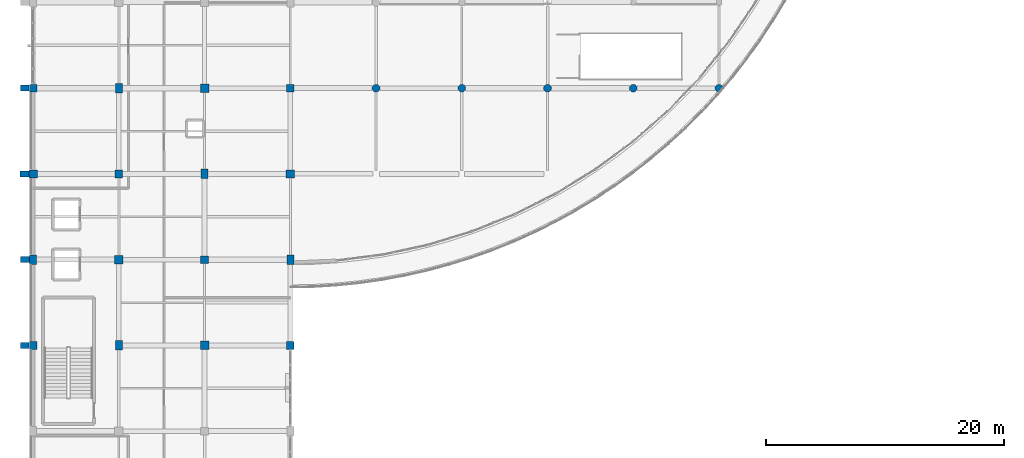
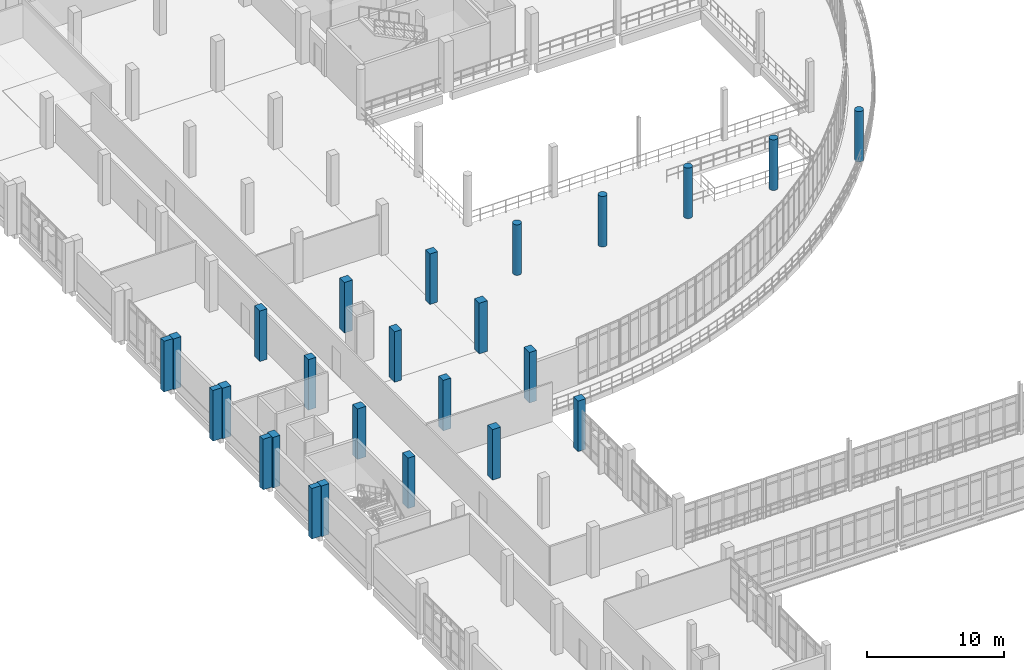
# One storey, part 3 of 116: 25 columns.
"""IFC4 building model written with IfcOpenShell, lengths in metres."""

from ifc_helpers import new_model, si_unit, direction, frame, origin, origin_2d, place, context, subcontext, project, spatial, rectangle, circle, extrude, material, material_profile, profile_set, type_object, element, save


model = new_model("IFC4")

# Units and contexts
model_context = context("Model", 3, precision=1e-05, world=origin(), true_north=direction((0.0, 1.0)))
body_context = subcontext(model_context, "Body", "Model", "MODEL_VIEW")
ifc_project = project(units=[si_unit("LENGTHUNIT", "METRE"), si_unit("AREAUNIT", "SQUARE_METRE"), si_unit("VOLUMEUNIT", "CUBIC_METRE"), si_unit("PLANEANGLEUNIT", "RADIAN"), si_unit("MASSUNIT", "GRAM", prefix="KILO")], contexts=[model_context])

# Site, building, storey
site_placement = place(None, origin())
site = spatial("IfcSite", under=ifc_project, at=site_placement, CompositionType="ELEMENT")
building_placement = place(site_placement, origin())
building = spatial("IfcBuilding", under=site, at=building_placement, Name="Kalluvel Institute of Natural Sciences", CompositionType="ELEMENT")
storey_placement = place(building_placement, frame((0.0, 0.0, 14.39990234375)))
storey = spatial("IfcBuildingStorey", under=building, at=storey_placement, Name="L03", CompositionType="ELEMENT", Elevation=14.39990234375)

# Columns
ifc_material_1 = material(Name="Concrete M50", Category="concrete")
ifc_material_profile_1 = material_profile(ifc_material_1, rectangle(XDim=0.60009765625, YDim=0.800048828125, at=origin_2d()), Name="RC 600x800")
ifc_profile_set_1 = profile_set([ifc_material_profile_1], Name="Concrete M50")
column_type_1 = type_object("IfcColumnType", Name="COL-RC600x800", PredefinedType="COLUMN", material=ifc_profile_set_1)
for number, where, z_axis, x_axis, name in (
    (1, (14.0, 57.199951171875, 0.0), (0.0, 0.0, 1.0), (1.0, 0.0, 0.0), "L03 structural column COL-L03-X140-Y572"),
    (2, (21.199951171875, 50.0, 0.0), (0.0, 0.0, 1.0), (1.0, 0.0, 0.0), "L03 structural column COL-L03-X212-Y500"),
    (3, (21.199951171875, 71.60009765625, 0.0), (0.0, 0.0, 1.0), (1.0, 0.0, 0.0), "L03 structural column COL-L03-X212-Y716"),
    (4, (28.39990234375, 64.39990234375, 0.0), (0.0, 0.0, 1.0), (1.0, 0.0, 0.0), "L03 structural column COL-L03-X284-Y644"),
    (5, (35.60009765625, 57.199951171875, 0.0), (0.0, 0.0, 1.0), (1.0, 0.0, 0.0), "L03 structural column COL-L03-X356-Y572"),
):
    element("IfcColumn", number, at=place(storey_placement, frame(where, z_axis=z_axis, x_axis=x_axis)), inside=storey, type_object=column_type_1, Name=name, PredefinedType="COLUMN", context=body_context, shape_type="SweptSolid", body=[
        extrude(rectangle(XDim=0.60009765625, YDim=0.800048828125, at=origin_2d()), origin(), (0.0, 0.0, 1.0), 4.5),
    ])
ifc_material_2 = material(Name="Concrete M40", Category="concrete")
ifc_material_profile_2 = material_profile(ifc_material_2, rectangle(XDim=0.64990234375, YDim=0.64990234375, at=origin_2d()), Name="RC 650x650")
ifc_profile_set_2 = profile_set([ifc_material_profile_2], Name="Concrete M40")
column_type_2 = type_object("IfcColumnType", Name="COL-RC650", PredefinedType="COLUMN", material=ifc_profile_set_2)
for number, where, z_axis, x_axis, name in (
    (6, (14.0, 50.0, 0.0), (0.0, 0.0, 1.0), (1.0, 0.0, 0.0), "L03 structural column COL-L03-X140-Y500"),
    (7, (14.0, 71.60009765625, 0.0), (0.0, 0.0, 1.0), (1.0, 0.0, 0.0), "L03 structural column COL-L03-X140-Y716"),
    (8, (21.199951171875, 64.39990234375, 0.0), (0.0, 0.0, 1.0), (1.0, 0.0, 0.0), "L03 structural column COL-L03-X212-Y644"),
    (9, (28.39990234375, 57.199951171875, 0.0), (0.0, 0.0, 1.0), (1.0, 0.0, 0.0), "L03 structural column COL-L03-X284-Y572"),
    (10, (35.60009765625, 50.0, 0.0), (0.0, 0.0, 1.0), (1.0, 0.0, 0.0), "L03 structural column COL-L03-X356-Y500"),
    (11, (35.60009765625, 71.60009765625, 0.0), (0.0, 0.0, 1.0), (1.0, 0.0, 0.0), "L03 structural column COL-L03-X356-Y716"),
):
    element("IfcColumn", number, at=place(storey_placement, frame(where, z_axis=z_axis, x_axis=x_axis)), inside=storey, type_object=column_type_2, Name=name, PredefinedType="COLUMN", context=body_context, shape_type="SweptSolid", body=[
        extrude(rectangle(XDim=0.64990234375, YDim=0.64990234375, at=origin_2d()), origin(), (0.0, 0.0, 1.0), 4.5),
    ])
ifc_material_profile_3 = material_profile(ifc_material_2, rectangle(XDim=0.699951171875, YDim=0.699951171875, at=origin_2d()), Name="RC 700x700")
ifc_profile_set_3 = profile_set([ifc_material_profile_3], Name="Concrete M40")
column_type_3 = type_object("IfcColumnType", Name="COL-RC700", PredefinedType="COLUMN", material=ifc_profile_set_3)
for number, where, z_axis, x_axis, name in (
    (12, (14.0, 64.39990234375, 0.0), (0.0, 0.0, 1.0), (1.0, 0.0, 0.0), "L03 structural column COL-L03-X140-Y644"),
    (13, (21.199951171875, 57.199951171875, 0.0), (0.0, 0.0, 1.0), (1.0, 0.0, 0.0), "L03 structural column COL-L03-X212-Y572"),
    (14, (28.39990234375, 50.0, 0.0), (0.0, 0.0, 1.0), (1.0, 0.0, 0.0), "L03 structural column COL-L03-X284-Y500"),
    (15, (28.39990234375, 71.60009765625, 0.0), (0.0, 0.0, 1.0), (1.0, 0.0, 0.0), "L03 structural column COL-L03-X284-Y716"),
    (16, (35.60009765625, 64.39990234375, 0.0), (0.0, 0.0, 1.0), (1.0, 0.0, 0.0), "L03 structural column COL-L03-X356-Y644"),
):
    element("IfcColumn", number, at=place(storey_placement, frame(where, z_axis=z_axis, x_axis=x_axis)), inside=storey, type_object=column_type_3, Name=name, PredefinedType="COLUMN", context=body_context, shape_type="SweptSolid", body=[
        extrude(rectangle(XDim=0.699951171875, YDim=0.699951171875, at=origin_2d()), origin(), (0.0, 0.0, 1.0), 4.5),
    ])
ifc_material_profile_4 = material_profile(ifc_material_2, circle(Radius=0.324951171875, at=origin_2d()), Name="RCCOL D650")
ifc_profile_set_4 = profile_set([ifc_material_profile_4], Name="Concrete M40")
column_type_4 = type_object("IfcColumnType", Name="COL-RCD650", PredefinedType="COLUMN", material=ifc_profile_set_4)
for number, where, z_axis, x_axis, name in (
    (17, (42.800048828125, 71.60009765625, 0.0), (0.0, 0.0, 1.0), (1.0, 0.0, 0.0), "L03 structural column COL-L03-X428-Y716"),
    (18, (50.0, 71.60009765625, 0.0), (0.0, 0.0, 1.0), (1.0, 0.0, 0.0), "L03 structural column COL-L03-X500-Y716"),
    (19, (57.199951171875, 71.60009765625, 0.0), (0.0, 0.0, 1.0), (1.0, 0.0, 0.0), "L03 structural column COL-L03-X572-Y716"),
    (20, (64.39990234375, 71.60009765625, 0.0), (0.0, 0.0, 1.0), (1.0, 0.0, 0.0), "L03 structural column COL-L03-X644-Y716"),
    (21, (71.60009765625, 71.60009765625, 0.0), (0.0, 0.0, 1.0), (1.0, 0.0, 0.0), "L03 structural column COL-L03-X716-Y716"),
):
    element("IfcColumn", number, at=place(storey_placement, frame(where, z_axis=z_axis, x_axis=x_axis)), inside=storey, type_object=column_type_4, Name=name, PredefinedType="COLUMN", context=body_context, shape_type="SweptSolid", body=[
        extrude(circle(Radius=0.324951171875, at=origin_2d()), origin(), (0.0, 0.0, 1.0), 4.5),
    ])
ifc_material_3 = material(Name="Sadarahalli Granite Precast Concrete M45", Category="masonry")
ifc_material_profile_5 = material_profile(ifc_material_3, rectangle(XDim=0.5, YDim=0.75, at=origin_2d()), Name="PIL 500x750")
ifc_profile_set_5 = profile_set([ifc_material_profile_5], Name="Sadarahalli Granite Precast Concrete M45")
column_type_5 = type_object("IfcColumnType", Name="PIL-500x750", PredefinedType="PILASTER", material=ifc_profile_set_5)
for number, where, z_axis, x_axis, name in (
    (22, (13.297119140625, 50.0, 0.0), (0.0, 0.0, 1.0), (0.0, 1.0, 0.0), "L03 Gothic stepped Sadarahalli granite buttress 81"),
    (23, (13.322021484375, 57.199951171875, 0.0), (0.0, 0.0, 1.0), (0.0, 1.0, 0.0), "L03 Gothic stepped Sadarahalli granite buttress 89"),
    (24, (13.27197265625, 64.39990234375, 0.0), (0.0, 0.0, 1.0), (0.0, 1.0, 0.0), "L03 Gothic stepped Sadarahalli granite buttress 97"),
    (25, (13.297119140625, 71.60009765625, 0.0), (0.0, 0.0, 1.0), (0.0, 1.0, 0.0), "L03 Gothic stepped Sadarahalli granite buttress 105"),
):
    element("IfcColumn", number, at=place(storey_placement, frame(where, z_axis=z_axis, x_axis=x_axis)), inside=storey, type_object=column_type_5, Name=name, PredefinedType="PILASTER", context=body_context, shape_type="SweptSolid", body=[
        extrude(rectangle(XDim=0.5, YDim=0.75, at=origin_2d()), origin(), (0.0, 0.0, 1.0), 4.5),
    ])

save(model, "model.ifc")
